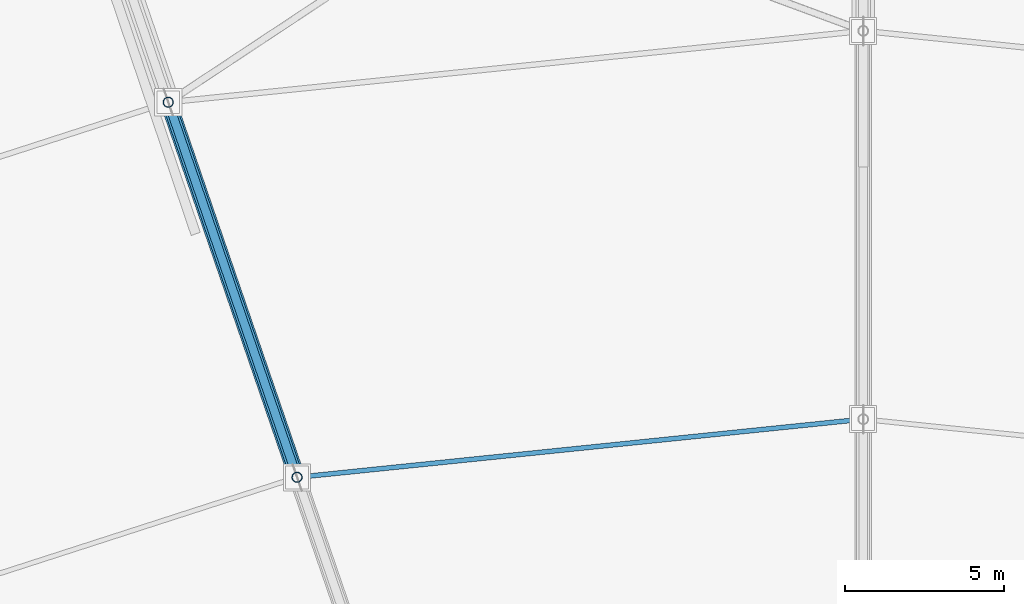
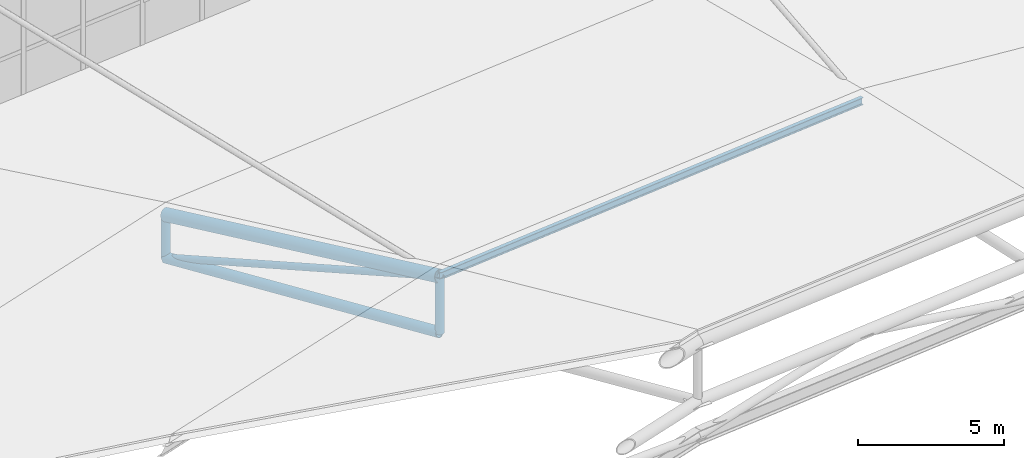
# One storey, part 66 of 115: 6 members.
"""IFC4 building model written with IfcOpenShell, lengths in metres."""

import ifcopenshell
import ifcopenshell.guid

model = None  # the IFC model being written
_history = None  # IfcOwnerHistory: only IFC2X3 demands one
_inside = {}  # id of a spatial element -> (the spatial element, [elements in it])
_under = {}  # id of a project, library or spatial element -> (it, [spatial elements below it])
_declared = {}  # id of a project -> (the project, [libraries it declares])
_typed = {}  # id of a type object -> (the type object, [elements of that type])
_made_of = {}  # id of a material, layer set ... -> (it, [elements and type objects made of it])


def new_model(schema):
    """Start an empty IFC model of exactly this schema.

    Asked for "IFC4X3", IfcOpenShell would pick the latest addendum, in which some entities
    have other attributes; the version numbers below select the first issue.
    IFC2X3 requires an IfcOwnerHistory on every rooted entity: one is made here for all.
    """
    global model, _history
    if schema == "IFC4X3":
        model = ifcopenshell.file(schema_version=(4, 3, 0, 0))
    else:
        model = ifcopenshell.file(schema=schema)
    _inside.clear()
    _under.clear()
    _declared.clear()
    _typed.clear()
    _made_of.clear()
    _history = None
    if model.schema == "IFC2X3":
        org = make("IfcOrganization", Name="unknown")
        user = make(
            "IfcPersonAndOrganization",
            ThePerson=make("IfcPerson", FamilyName="unknown"),
            TheOrganization=org,
        )
        app = make(
            "IfcApplication",
            ApplicationDeveloper=org,
            Version="unknown",
            ApplicationFullName="unknown",
            ApplicationIdentifier="unknown",
        )
        _history = make(
            "IfcOwnerHistory",
            OwningUser=user,
            OwningApplication=app,
            ChangeAction="ADDED",
            CreationDate=0,
        )
    return model


def make(cls, **values):
    """One entity of the class cls with the attributes given. An attribute that is None is left unset."""
    return model.create_entity(
        cls, **{name: value for name, value in values.items() if value is not None}
    )


def rooted(cls, **values):
    """An entity with a GlobalId (a new one), such as an element, a storey or a relation."""
    return make(cls, GlobalId=ifcopenshell.guid.new(), OwnerHistory=_history, **values)


def si_unit(unit_type, name, prefix=None):
    """IfcSIUnit, for example si_unit("LENGTHUNIT", "METRE", prefix="MILLI")."""
    return make("IfcSIUnit", UnitType=unit_type, Prefix=prefix, Name=name)


def assignment(units):
    """IfcUnitAssignment: the units of a project."""
    return None if units is None else make("IfcUnitAssignment", Units=units)


def point(xyz):
    """IfcCartesianPoint."""
    return None if xyz is None else make("IfcCartesianPoint", Coordinates=xyz)


def direction(xyz):
    """IfcDirection."""
    return None if xyz is None else make("IfcDirection", DirectionRatios=xyz)


def frame(location, z_axis=None, x_axis=None):
    """IfcAxis2Placement3D, a coordinate frame: its origin and axes. An axis left out is left unset."""
    return make(
        "IfcAxis2Placement3D",
        Location=point(location),
        Axis=direction(z_axis),
        RefDirection=direction(x_axis),
    )


def frame_2d(location, x_axis=None):
    """IfcAxis2Placement2D, a coordinate frame in the plane: its origin and x axis."""
    return make(
        "IfcAxis2Placement2D", Location=point(location), RefDirection=direction(x_axis)
    )


def origin():
    """The frame at (0, 0, 0) with its axes left unset."""
    return frame((0.0, 0.0, 0.0))


def origin_2d():
    """The frame at (0, 0) in the plane with its x axis left unset."""
    return frame_2d((0.0, 0.0))


def place(relative_to, where):
    """IfcLocalPlacement: puts the frame where relative to a parent placement (None: the world)."""
    return make(
        "IfcLocalPlacement", PlacementRelTo=relative_to, RelativePlacement=where
    )


def context(
    kind, dimensions, precision=None, world=None, true_north=None, identifier=None
):
    """IfcGeometricRepresentationContext, for example the 3D "Model" context."""
    return make(
        "IfcGeometricRepresentationContext",
        ContextIdentifier=identifier,
        ContextType=kind,
        CoordinateSpaceDimension=dimensions,
        Precision=precision,
        WorldCoordinateSystem=world,
        TrueNorth=true_north,
    )


def subcontext(parent, identifier, kind, view, scale=None):
    """IfcGeometricRepresentationSubContext, for example "Body" below "Model"."""
    return make(
        "IfcGeometricRepresentationSubContext",
        ContextIdentifier=identifier,
        ContextType=kind,
        ParentContext=parent,
        TargetScale=scale,
        TargetView=view,
    )


def project(units=None, contexts=None):
    """IfcProject with its units and contexts."""
    return rooted(
        "IfcProject",
        Name="project",
        RepresentationContexts=contexts,
        UnitsInContext=assignment(units),
    )


def spatial(cls, under=None, at=None, **own):
    """A site, building, storey or space (cls), placed at a placement, below another one or the project."""
    s = rooted(cls, ObjectPlacement=at, **own)
    if under is not None:
        _under.setdefault(under.id(), (under, []))[1].append(s)
    return s


def profile(cls, at=None, kind="AREA", **sizes):
    """A parametric profile (cls). Its sizes go by their IFC names, for example OverallWidth=200.0."""
    return make(cls, ProfileType=kind, Position=at, **sizes)


def hollow_circle(**sizes):
    """IfcCircleHollowProfileDef."""
    return profile("IfcCircleHollowProfileDef", **sizes)


def i_section(**sizes):
    """IfcIShapeProfileDef."""
    return profile("IfcIShapeProfileDef", **sizes)


def extrude(swept, where, along, depth):
    """IfcExtrudedAreaSolid: the profile swept, set in the frame where, extruded along a direction by depth."""
    return make(
        "IfcExtrudedAreaSolid",
        SweptArea=swept,
        Position=where,
        ExtrudedDirection=direction(along),
        Depth=depth,
    )


def shape(context_of_items, identifier, shape_type, items):
    """IfcShapeRepresentation: the items that make up one representation, for example the "Body"."""
    return make(
        "IfcShapeRepresentation",
        ContextOfItems=context_of_items,
        RepresentationIdentifier=identifier,
        RepresentationType=shape_type,
        Items=items,
    )


def material(Name=None, Category=None):
    """IfcMaterial."""
    return make("IfcMaterial", Name=Name, Category=Category)


def material_profile(
    of_material, cross_section, Name=None, Category=None, Priority=None
):
    """IfcMaterialProfile: a cross section and its material."""
    return make(
        "IfcMaterialProfile",
        Name=Name,
        Material=of_material,
        Profile=cross_section,
        Priority=Priority,
        Category=Category,
    )


def profile_set(profiles, Name=None, composite=None):
    """IfcMaterialProfileSet."""
    return make(
        "IfcMaterialProfileSet",
        Name=Name,
        MaterialProfiles=profiles,
        CompositeProfile=composite,
    )


def made_of(thing, what):
    """Note that an element or type object is made of a material, layer set ...; save() writes the relation."""
    if what is not None:
        _made_of.setdefault(what.id(), (what, []))[1].append(thing)
    return thing


def type_object(cls, material=None, **own):
    """A type object (cls), such as IfcWallType, which elements share."""
    return made_of(rooted(cls, **own), material)


def element(
    cls,
    number,
    at=None,
    inside=None,
    cuts=None,
    type_object=None,
    material=None,
    context=None,
    identifier="Body",
    shape_type=None,
    held_by="IfcProductDefinitionShape",
    body=None,
    shapes=None,
    **own,
):
    """One element of the class cls, such as IfcWall. Its Tag is "e" and its number.

    at: its placement. inside: the storey or other place that contains it. cuts: it is an
    opening in that element (IfcRelVoidsElement). A single representation is given by context,
    identifier, shape_type and body (its items); several are given by shapes. held_by: the class
    of the entity that holds the representations. save() writes the other relations.
    """
    e = rooted(cls, Tag="e%d" % number, ObjectPlacement=at, **own)
    if body is not None:
        shapes = [shape(context, identifier, shape_type, body)]
    if shapes is not None:
        e.Representation = make(held_by, Representations=shapes)
    if inside is not None:
        _inside.setdefault(inside.id(), (inside, []))[1].append(e)
    if cuts is not None:
        rooted(
            "IfcRelVoidsElement", RelatingBuildingElement=cuts, RelatedOpeningElement=e
        )
    if type_object is not None:
        _typed.setdefault(type_object.id(), (type_object, []))[1].append(e)
    return made_of(e, material)


def aggregate(whole, parts):
    """IfcRelAggregates: a whole, such as a stair, and the parts it consists of."""
    return rooted("IfcRelAggregates", RelatingObject=whole, RelatedObjects=parts)


def save(model, path):
    """Write the relations noted so far, then the file.

    IfcRelAggregates (storeys below a building ...), IfcRelContainedInSpatialStructure (elements
    in a storey), IfcRelDefinesByType, IfcRelAssociatesMaterial and IfcRelDeclares: one each for
    every whole, place, type object, material and project.
    """
    for whole, parts in _under.values():
        aggregate(whole, parts)
    for where, things in _inside.values():
        rooted(
            "IfcRelContainedInSpatialStructure",
            RelatedElements=things,
            RelatingStructure=where,
        )
    for kind, things in _typed.values():
        rooted("IfcRelDefinesByType", RelatedObjects=things, RelatingType=kind)
    for what, things in _made_of.values():
        rooted("IfcRelAssociatesMaterial", RelatedObjects=things, RelatingMaterial=what)
    for by, libraries in _declared.values():
        rooted("IfcRelDeclares", RelatingContext=by, RelatedDefinitions=libraries)
    model.write(path)


model = new_model("IFC4")

# Units and contexts
model_context = context("Model", 3, precision=1e-05, world=origin(), true_north=direction((0.0, 1.0)))
body_context = subcontext(model_context, "Body", "Model", "MODEL_VIEW")
ifc_project = project(units=[si_unit("LENGTHUNIT", "METRE"), si_unit("AREAUNIT", "SQUARE_METRE"), si_unit("VOLUMEUNIT", "CUBIC_METRE"), si_unit("PLANEANGLEUNIT", "RADIAN"), si_unit("MASSUNIT", "GRAM", prefix="KILO")], contexts=[model_context])

# Site, building, storey
site_placement = place(None, origin())
site = spatial("IfcSite", under=ifc_project, at=site_placement, CompositionType="ELEMENT")
building_placement = place(site_placement, origin())
building = spatial("IfcBuilding", under=site, at=building_placement, Name="Zlatoyarsky Gate Stadium", CompositionType="ELEMENT")
storey_placement = place(building_placement, frame((0.0, 0.0, 31.800048828125)))
storey = spatial("IfcBuildingStorey", under=building, at=storey_placement, Name="RF", CompositionType="ELEMENT", Elevation=31.800048828125)

# Members
ifc_material = material(Name="Steel S355", Category="steel")
ifc_material_profile_1 = material_profile(ifc_material, hollow_circle(Radius=0.203125, WallThickness=0.02001953125, at=origin_2d()), Name="CHS 406.4X20")
ifc_profile_set_1 = profile_set([ifc_material_profile_1], Name="Steel S355")
member_type_1 = type_object("IfcMemberType", Name="STEEL ARCH INNER CHORD CHS 406.4X20", PredefinedType="CHORD", material=ifc_profile_set_1)
member_1_placement = place(storey_placement, frame((89.159912109375, 143.581298828125, 1.349853515625), z_axis=(0.318018478385, -0.925829737225, 0.204214458535), x_axis=(0.945760529687, 0.324864618704, 0.0)))
element("IfcMember", 1, at=member_1_placement, inside=storey, type_object=member_type_1, Name="Radial truss R08 bottom chord 2", PredefinedType="CHORD", context=body_context, shape_type="SweptSolid", body=[
    extrude(hollow_circle(Radius=0.203125, WallThickness=0.02001953125, at=origin_2d()), origin(), (0.0, 0.0, 1.0), 12.732177734375),
])
ifc_material_profile_2 = material_profile(ifc_material, hollow_circle(Radius=0.25390625, WallThickness=0.02490234375, at=origin_2d()), Name="CHS 508X25")
ifc_profile_set_2 = profile_set([ifc_material_profile_2], Name="Steel S355")
member_type_2 = type_object("IfcMemberType", Name="STEEL ARCH TOP CHORD CHS 508X25", PredefinedType="CHORD", material=ifc_profile_set_2)
member_2_placement = place(storey_placement, frame((89.159912109375, 143.581298828125, 3.14990234375), z_axis=(0.314960710507, -0.916927825469, 0.245036963984), x_axis=(0.945760529687, 0.324864618704, 0.0)))
element("IfcMember", 2, at=member_2_placement, inside=storey, type_object=member_type_2, Name="Radial truss R08 top chord 2", PredefinedType="CHORD", context=body_context, shape_type="SweptSolid", body=[
    extrude(hollow_circle(Radius=0.25390625, WallThickness=0.02490234375, at=origin_2d()), origin(), (0.0, 0.0, 1.0), 12.855712890625),
])
ifc_material_profile_3 = material_profile(ifc_material, i_section(OverallWidth=0.14990234375, OverallDepth=0.300048828125, WebThickness=0.007080078125, FlangeThickness=0.0107421875, FilletRadius=0.014892578125, at=origin_2d()), Name="IPE 300")
ifc_profile_set_3 = profile_set([ifc_material_profile_3], Name="Steel S355")
member_type_3 = type_object("IfcMemberType", Name="STEEL BOWL ROOF PURLIN IPE 300", PredefinedType="PURLIN", material=ifc_profile_set_3)
member_3_placement = place(storey_placement, frame((111.0, 133.62060546875, 6.329833984375), z_axis=(-0.99476764542, -0.102163259665, 0.0), x_axis=(0.102163259665, -0.99476764542, 0.0)))
element("IfcMember", 3, at=member_3_placement, inside=storey, type_object=member_type_3, Name="Stadium roof purlin 06.2", PredefinedType="PURLIN", context=body_context, shape_type="SweptSolid", body=[
    extrude(i_section(OverallWidth=0.14990234375, OverallDepth=0.300048828125, WebThickness=0.007080078125, FlangeThickness=0.0107421875, FilletRadius=0.014892578125, at=origin_2d()), origin(), (0.0, 0.0, 1.0), 17.884521484375),
])
ifc_material_profile_4 = material_profile(ifc_material, hollow_circle(Radius=0.136474609375, WallThickness=0.01611328125, at=origin_2d()), Name="CHS 273X16")
ifc_profile_set_4 = profile_set([ifc_material_profile_4], Name="Steel S355")
member_type_4 = type_object("IfcMemberType", Name="STEEL ROOF TRUSS DIAGONAL CHS 273X16", PredefinedType="BRACE", material=ifc_profile_set_4)
member_4_placement = place(storey_placement, frame((89.159912109375, 143.581298828125, 1.349853515625), z_axis=(0.301923645415, -0.878973733589, 0.36911690289), x_axis=(0.945760529687, 0.324864618704, 0.0)))
element("IfcMember", 4, at=member_4_placement, inside=storey, type_object=member_type_4, Name="Radial truss R08 web diagonal 2", PredefinedType="BRACE", context=body_context, shape_type="SweptSolid", body=[
    extrude(hollow_circle(Radius=0.136474609375, WallThickness=0.01611328125, at=origin_2d()), origin(), (0.0, 0.0, 1.0), 13.410888671875),
])
ifc_material_profile_5 = material_profile(ifc_material, hollow_circle(Radius=0.161865234375, WallThickness=0.01611328125, at=origin_2d()), Name="CHS 323.9X16")
ifc_profile_set_5 = profile_set([ifc_material_profile_5], Name="Steel S355")
member_type_5 = type_object("IfcMemberType", Name="STEEL TRUSS WEB STRUT CHS 323.9X16", PredefinedType="STRUT", material=ifc_profile_set_5)
member_5_placement = place(storey_placement, frame((89.159912109375, 143.581298828125, 1.349853515625), z_axis=(0.0, 0.0, 1.0), x_axis=(1.0, 0.0, 0.0)))
element("IfcMember", 5, at=member_5_placement, inside=storey, type_object=member_type_5, Name="Radial truss R08 web strut 1", PredefinedType="STRUT", context=body_context, shape_type="SweptSolid", body=[
    extrude(hollow_circle(Radius=0.161865234375, WallThickness=0.01611328125, at=origin_2d()), origin(), (0.0, 0.0, 1.0), 1.800048828125),
])
member_6_placement = place(storey_placement, frame((93.208984375, 131.79345703125, 3.949951171875), z_axis=(0.0, 0.0, 1.0), x_axis=(1.0, 0.0, 0.0)))
element("IfcMember", 6, at=member_6_placement, inside=storey, type_object=member_type_5, Name="Radial truss R08 web strut 2", PredefinedType="STRUT", context=body_context, shape_type="SweptSolid", body=[
    extrude(hollow_circle(Radius=0.161865234375, WallThickness=0.01611328125, at=origin_2d()), origin(), (0.0, 0.0, 1.0), 2.35009765625),
])

save(model, "model.ifc")
